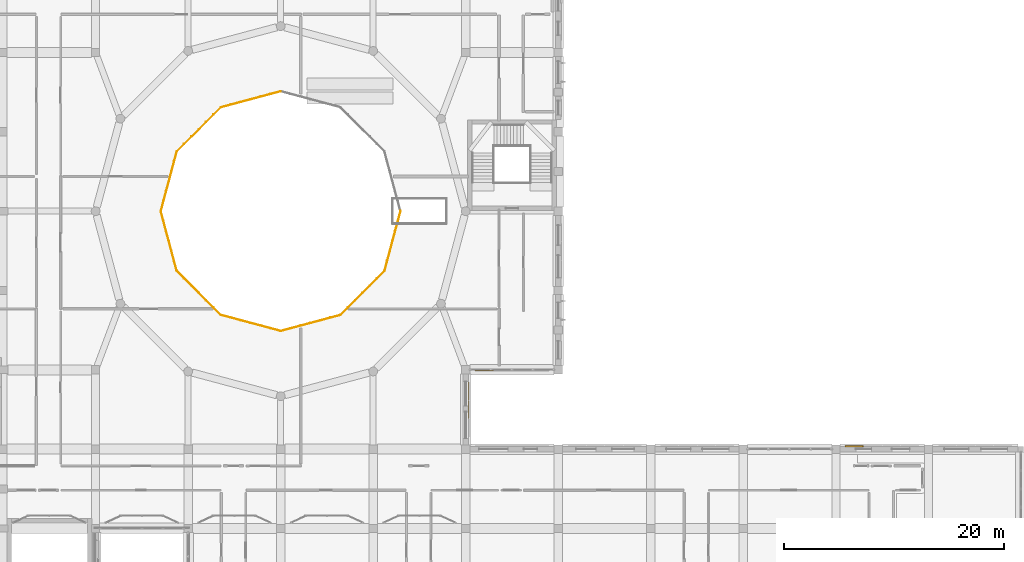
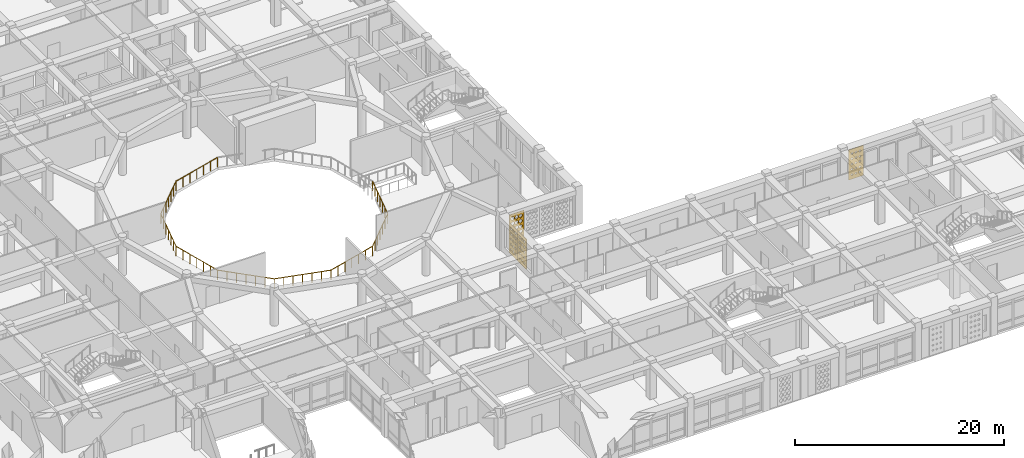
# One storey, part 100 of 121: 9 railings, 4 coverings.
"""IFC4 building model written with IfcOpenShell, lengths in metres."""

from ifc_helpers import new_model, si_unit, derived_unit, direction, frame, origin, origin_2d, place, context, subcontext, project, spatial, polyline, circle, outline, extrude, material, layer, layer_set, type_object, element, save


model = new_model("IFC4")

# Units and contexts
model_context = context("Model", 3, precision=1e-05, world=origin(), true_north=direction((0.0, 1.0)))
body_context = subcontext(model_context, "Body", "Model", "MODEL_VIEW")
ifc_project = project(units=[si_unit("LENGTHUNIT", "METRE"), si_unit("AREAUNIT", "SQUARE_METRE"), si_unit("VOLUMEUNIT", "CUBIC_METRE"), si_unit("PLANEANGLEUNIT", "RADIAN"), si_unit("MASSUNIT", "GRAM", prefix="KILO"), derived_unit("THERMALTRANSMITTANCEUNIT", [(si_unit("POWERUNIT", "WATT"), 1), (si_unit("LENGTHUNIT", "METRE"), -2), (si_unit("THERMODYNAMICTEMPERATUREUNIT", "KELVIN"), -1)])], contexts=[model_context])

# Site, building, storey
site_placement = place(None, origin())
site = spatial("IfcSite", under=ifc_project, at=site_placement, CompositionType="ELEMENT")
building_placement = place(site_placement, origin())
building = spatial("IfcBuilding", under=site, at=building_placement, Name="Veybourne Emporium", CompositionType="ELEMENT")
storey_placement = place(building_placement, frame((0.0, 0.0, 5.39990234375)))
storey = spatial("IfcBuildingStorey", under=building, at=storey_placement, Name="L01", CompositionType="ELEMENT", Elevation=5.39990234375)

# Railings
ifc_material_1 = material(Name="Patinated Architectural Bronze", Category="bronze")
railing_type = type_object("IfcRailingType", Name="Balustrade_BL-01", PredefinedType="BALUSTRADE", material=ifc_material_1)
railing_1_placement = place(storey_placement, frame((75.60009765625, 61.280029296875, 0.0)))
element("IfcRailing", 1, at=railing_1_placement, inside=storey, type_object=railing_type, Name="L01 central atrium void balustrade 04", PredefinedType="BALUSTRADE", context=body_context, shape_type="SweptSolid", body=[
    extrude(circle(Radius=0.02392578125, at=origin_2d()), frame((0.0, 0.0, 1.1259765625), z_axis=(-0.965922703593, -0.258830698881, 0.0), x_axis=(0.258830698881, -0.965922703593, 0.0)), (0.0, 0.0, 1.0), 5.632080078125),
    extrude(circle(Radius=0.02099609375, at=origin_2d()), origin(), (0.0, 0.0, 1.0), 1.101806640625),
    extrude(circle(Radius=0.02099609375, at=origin_2d()), frame((-0.90673828125, -0.242919921875, 0.0)), (0.0, 0.0, 1.0), 1.101806640625),
    extrude(circle(Radius=0.02099609375, at=origin_2d()), frame((-1.8134765625, -0.48583984375, 0.0)), (0.0, 0.0, 1.0), 1.101806640625),
    extrude(circle(Radius=0.02099609375, at=origin_2d()), frame((-2.72021484375, -0.72900390625, 0.0)), (0.0, 0.0, 1.0), 1.101806640625),
    extrude(circle(Radius=0.02099609375, at=origin_2d()), frame((-3.626708984375, -0.971923828125, 0.0)), (0.0, 0.0, 1.0), 1.101806640625),
    extrude(circle(Radius=0.02099609375, at=origin_2d()), frame((-4.533447265625, -1.21484375, 0.0)), (0.0, 0.0, 1.0), 1.101806640625),
    extrude(circle(Radius=0.02099609375, at=origin_2d()), frame((-5.440185546875, -1.457763671875, 0.0)), (0.0, 0.0, 1.0), 1.101806640625),
])
railing_2_placement = place(storey_placement, frame((70.159912109375, 59.822265625, 0.0)))
element("IfcRailing", 2, at=railing_2_placement, inside=storey, type_object=railing_type, Name="L01 central atrium void balustrade 05", PredefinedType="BALUSTRADE", context=body_context, shape_type="SweptSolid", body=[
    extrude(circle(Radius=0.02392578125, at=origin_2d()), frame((0.0, 0.0, 1.1259765625), z_axis=(-0.707106781187, -0.707106781187, 0.0), x_axis=(0.707106781187, -0.707106781187, 0.0)), (0.0, 0.0, 1.0), 5.631591796875),
    extrude(circle(Radius=0.02099609375, at=origin_2d()), origin(), (0.0, 0.0, 1.0), 1.101806640625),
    extrude(circle(Radius=0.02099609375, at=origin_2d()), frame((-0.66357421875, -0.66357421875, 0.0)), (0.0, 0.0, 1.0), 1.101806640625),
    extrude(circle(Radius=0.02099609375, at=origin_2d()), frame((-1.327392578125, -1.327392578125, 0.0)), (0.0, 0.0, 1.0), 1.101806640625),
    extrude(circle(Radius=0.02099609375, at=origin_2d()), frame((-1.9912109375, -1.9912109375, 0.0)), (0.0, 0.0, 1.0), 1.101806640625),
    extrude(circle(Radius=0.02099609375, at=origin_2d()), frame((-2.65478515625, -2.65478515625, 0.0)), (0.0, 0.0, 1.0), 1.101806640625),
    extrude(circle(Radius=0.02099609375, at=origin_2d()), frame((-3.318359375, -3.318359375, 0.0)), (0.0, 0.0, 1.0), 1.101806640625),
    extrude(circle(Radius=0.02099609375, at=origin_2d()), frame((-3.982177734375, -3.982177734375, 0.0)), (0.0, 0.0, 1.0), 1.101806640625),
])
railing_3_placement = place(storey_placement, frame((66.177734375, 55.840087890625, 0.0)))
element("IfcRailing", 3, at=railing_3_placement, inside=storey, type_object=railing_type, Name="L01 central atrium void balustrade 06", PredefinedType="BALUSTRADE", context=body_context, shape_type="SweptSolid", body=[
    extrude(circle(Radius=0.02392578125, at=origin_2d()), frame((0.0, 0.0, 1.1259765625), z_axis=(-0.258830698881, -0.965922703593, 0.0), x_axis=(0.965922703593, -0.258830698881, 0.0)), (0.0, 0.0, 1.0), 5.632080078125),
    extrude(circle(Radius=0.02099609375, at=origin_2d()), origin(), (0.0, 0.0, 1.0), 1.101806640625),
    extrude(circle(Radius=0.02099609375, at=origin_2d()), frame((-0.242919921875, -0.90673828125, 0.0)), (0.0, 0.0, 1.0), 1.101806640625),
    extrude(circle(Radius=0.02099609375, at=origin_2d()), frame((-0.48583984375, -1.8134765625, 0.0)), (0.0, 0.0, 1.0), 1.101806640625),
    extrude(circle(Radius=0.02099609375, at=origin_2d()), frame((-0.72900390625, -2.72021484375, 0.0)), (0.0, 0.0, 1.0), 1.101806640625),
    extrude(circle(Radius=0.02099609375, at=origin_2d()), frame((-0.971923828125, -3.626708984375, 0.0)), (0.0, 0.0, 1.0), 1.101806640625),
    extrude(circle(Radius=0.02099609375, at=origin_2d()), frame((-1.21484375, -4.533447265625, 0.0)), (0.0, 0.0, 1.0), 1.101806640625),
    extrude(circle(Radius=0.02099609375, at=origin_2d()), frame((-1.457763671875, -5.440185546875, 0.0)), (0.0, 0.0, 1.0), 1.101806640625),
])
railing_4_placement = place(storey_placement, frame((64.719970703125, 50.39990234375, 0.0)))
element("IfcRailing", 4, at=railing_4_placement, inside=storey, type_object=railing_type, Name="L01 central atrium void balustrade 07", PredefinedType="BALUSTRADE", context=body_context, shape_type="SweptSolid", body=[
    extrude(circle(Radius=0.02392578125, at=origin_2d()), frame((0.0, 0.0, 1.1259765625), z_axis=(0.258841536762, -0.965919799386, 0.0), x_axis=(0.965919799386, 0.258841536762, 0.0)), (0.0, 0.0, 1.0), 5.6318359375),
    extrude(circle(Radius=0.02099609375, at=origin_2d()), origin(), (0.0, 0.0, 1.0), 1.101806640625),
    extrude(circle(Radius=0.02099609375, at=origin_2d()), frame((0.242919921875, -0.90673828125, 0.0)), (0.0, 0.0, 1.0), 1.101806640625),
    extrude(circle(Radius=0.02099609375, at=origin_2d()), frame((0.48583984375, -1.813232421875, 0.0)), (0.0, 0.0, 1.0), 1.101806640625),
    extrude(circle(Radius=0.02099609375, at=origin_2d()), frame((0.72900390625, -2.719970703125, 0.0)), (0.0, 0.0, 1.0), 1.101806640625),
    extrude(circle(Radius=0.02099609375, at=origin_2d()), frame((0.971923828125, -3.626708984375, 0.0)), (0.0, 0.0, 1.0), 1.101806640625),
    extrude(circle(Radius=0.02099609375, at=origin_2d()), frame((1.21484375, -4.533203125, 0.0)), (0.0, 0.0, 1.0), 1.101806640625),
    extrude(circle(Radius=0.02099609375, at=origin_2d()), frame((1.457763671875, -5.43994140625, 0.0)), (0.0, 0.0, 1.0), 1.101806640625),
])
railing_5_placement = place(storey_placement, frame((66.177734375, 44.9599609375, 0.0)))
element("IfcRailing", 5, at=railing_5_placement, inside=storey, type_object=railing_type, Name="L01 central atrium void balustrade 08", PredefinedType="BALUSTRADE", context=body_context, shape_type="SweptSolid", body=[
    extrude(circle(Radius=0.02392578125, at=origin_2d()), frame((0.0, 0.0, 1.1259765625), z_axis=(0.707085105755, -0.707128455954, 0.0), x_axis=(0.707128455954, 0.707085105755, 0.0)), (0.0, 0.0, 1.0), 5.6318359375),
    extrude(circle(Radius=0.02099609375, at=origin_2d()), origin(), (0.0, 0.0, 1.0), 1.101806640625),
    extrude(circle(Radius=0.02099609375, at=origin_2d()), frame((0.66357421875, -0.663818359375, 0.0)), (0.0, 0.0, 1.0), 1.101806640625),
    extrude(circle(Radius=0.02099609375, at=origin_2d()), frame((1.327392578125, -1.327392578125, 0.0)), (0.0, 0.0, 1.0), 1.101806640625),
    extrude(circle(Radius=0.02099609375, at=origin_2d()), frame((1.9912109375, -1.9912109375, 0.0)), (0.0, 0.0, 1.0), 1.101806640625),
    extrude(circle(Radius=0.02099609375, at=origin_2d()), frame((2.65478515625, -2.655029296875, 0.0)), (0.0, 0.0, 1.0), 1.101806640625),
    extrude(circle(Radius=0.02099609375, at=origin_2d()), frame((3.318359375, -3.318603515625, 0.0)), (0.0, 0.0, 1.0), 1.101806640625),
    extrude(circle(Radius=0.02099609375, at=origin_2d()), frame((3.982177734375, -3.982421875, 0.0)), (0.0, 0.0, 1.0), 1.101806640625),
])
railing_6_placement = place(storey_placement, frame((70.159912109375, 40.9775390625, 0.0)))
element("IfcRailing", 6, at=railing_6_placement, inside=storey, type_object=railing_type, Name="L01 central atrium void balustrade 09", PredefinedType="BALUSTRADE", context=body_context, shape_type="SweptSolid", body=[
    extrude(circle(Radius=0.02392578125, at=origin_2d()), frame((0.0, 0.0, 1.1259765625), z_axis=(0.965933540312, -0.25879025426, 0.0), x_axis=(0.25879025426, 0.965933540312, 0.0)), (0.0, 0.0, 1.0), 5.632080078125),
    extrude(circle(Radius=0.02099609375, at=origin_2d()), origin(), (0.0, 0.0, 1.0), 1.101806640625),
    extrude(circle(Radius=0.02099609375, at=origin_2d()), frame((0.90673828125, -0.242919921875, 0.0)), (0.0, 0.0, 1.0), 1.101806640625),
    extrude(circle(Radius=0.02099609375, at=origin_2d()), frame((1.8134765625, -0.48583984375, 0.0)), (0.0, 0.0, 1.0), 1.101806640625),
    extrude(circle(Radius=0.02099609375, at=origin_2d()), frame((2.72021484375, -0.728759765625, 0.0)), (0.0, 0.0, 1.0), 1.101806640625),
    extrude(circle(Radius=0.02099609375, at=origin_2d()), frame((3.626708984375, -0.9716796875, 0.0)), (0.0, 0.0, 1.0), 1.101806640625),
    extrude(circle(Radius=0.02099609375, at=origin_2d()), frame((4.533447265625, -1.214599609375, 0.0)), (0.0, 0.0, 1.0), 1.101806640625),
    extrude(circle(Radius=0.02099609375, at=origin_2d()), frame((5.440185546875, -1.45751953125, 0.0)), (0.0, 0.0, 1.0), 1.101806640625),
])
railing_7_placement = place(storey_placement, frame((75.60009765625, 39.52001953125, 0.0)))
element("IfcRailing", 7, at=railing_7_placement, inside=storey, type_object=railing_type, Name="L01 central atrium void balustrade 10", PredefinedType="BALUSTRADE", context=body_context, shape_type="SweptSolid", body=[
    extrude(circle(Radius=0.02392578125, at=origin_2d()), frame((0.0, 0.0, 1.1259765625), z_axis=(0.96593063698, 0.258801090691, 0.0), x_axis=(-0.258801090691, 0.96593063698, 0.0)), (0.0, 0.0, 1.0), 5.6318359375),
    extrude(circle(Radius=0.02099609375, at=origin_2d()), origin(), (0.0, 0.0, 1.0), 1.101806640625),
    extrude(circle(Radius=0.02099609375, at=origin_2d()), frame((0.90673828125, 0.242919921875, 0.0)), (0.0, 0.0, 1.0), 1.101806640625),
    extrude(circle(Radius=0.02099609375, at=origin_2d()), frame((1.813232421875, 0.48583984375, 0.0)), (0.0, 0.0, 1.0), 1.101806640625),
    extrude(circle(Radius=0.02099609375, at=origin_2d()), frame((2.719970703125, 0.728759765625, 0.0)), (0.0, 0.0, 1.0), 1.101806640625),
    extrude(circle(Radius=0.02099609375, at=origin_2d()), frame((3.626708984375, 0.9716796875, 0.0)), (0.0, 0.0, 1.0), 1.101806640625),
    extrude(circle(Radius=0.02099609375, at=origin_2d()), frame((4.533203125, 1.214599609375, 0.0)), (0.0, 0.0, 1.0), 1.101806640625),
    extrude(circle(Radius=0.02099609375, at=origin_2d()), frame((5.43994140625, 1.45751953125, 0.0)), (0.0, 0.0, 1.0), 1.101806640625),
])
railing_8_placement = place(storey_placement, frame((81.0400390625, 40.9775390625, 0.0)))
element("IfcRailing", 8, at=railing_8_placement, inside=storey, type_object=railing_type, Name="L01 central atrium void balustrade 11", PredefinedType="BALUSTRADE", context=body_context, shape_type="SweptSolid", body=[
    extrude(circle(Radius=0.02392578125, at=origin_2d()), frame((0.0, 0.0, 1.1259765625), z_axis=(0.707106781187, 0.707106781187, 0.0), x_axis=(-0.707106781187, 0.707106781187, 0.0)), (0.0, 0.0, 1.0), 5.632080078125),
    extrude(circle(Radius=0.02099609375, at=origin_2d()), origin(), (0.0, 0.0, 1.0), 1.101806640625),
    extrude(circle(Radius=0.02099609375, at=origin_2d()), frame((0.663818359375, 0.663818359375, 0.0)), (0.0, 0.0, 1.0), 1.101806640625),
    extrude(circle(Radius=0.02099609375, at=origin_2d()), frame((1.327392578125, 1.327392578125, 0.0)), (0.0, 0.0, 1.0), 1.101806640625),
    extrude(circle(Radius=0.02099609375, at=origin_2d()), frame((1.9912109375, 1.9912109375, 0.0)), (0.0, 0.0, 1.0), 1.101806640625),
    extrude(circle(Radius=0.02099609375, at=origin_2d()), frame((2.655029296875, 2.655029296875, 0.0)), (0.0, 0.0, 1.0), 1.101806640625),
    extrude(circle(Radius=0.02099609375, at=origin_2d()), frame((3.318603515625, 3.318603515625, 0.0)), (0.0, 0.0, 1.0), 1.101806640625),
    extrude(circle(Radius=0.02099609375, at=origin_2d()), frame((3.982421875, 3.982421875, 0.0)), (0.0, 0.0, 1.0), 1.101806640625),
])
railing_9_placement = place(storey_placement, frame((85.0224609375, 44.9599609375, 0.0)))
element("IfcRailing", 9, at=railing_9_placement, inside=storey, type_object=railing_type, Name="L01 central atrium void balustrade 12", PredefinedType="BALUSTRADE", context=body_context, shape_type="SweptSolid", body=[
    extrude(circle(Radius=0.02392578125, at=origin_2d()), frame((0.0, 0.0, 1.1259765625), z_axis=(0.258801090691, 0.96593063698, 0.0), x_axis=(-0.96593063698, 0.258801090691, 0.0)), (0.0, 0.0, 1.0), 5.6318359375),
    extrude(circle(Radius=0.02099609375, at=origin_2d()), origin(), (0.0, 0.0, 1.0), 1.101806640625),
    extrude(circle(Radius=0.02099609375, at=origin_2d()), frame((0.242919921875, 0.90673828125, 0.0)), (0.0, 0.0, 1.0), 1.101806640625),
    extrude(circle(Radius=0.02099609375, at=origin_2d()), frame((0.48583984375, 1.813232421875, 0.0)), (0.0, 0.0, 1.0), 1.101806640625),
    extrude(circle(Radius=0.02099609375, at=origin_2d()), frame((0.728759765625, 2.719970703125, 0.0)), (0.0, 0.0, 1.0), 1.101806640625),
    extrude(circle(Radius=0.02099609375, at=origin_2d()), frame((0.9716796875, 3.626708984375, 0.0)), (0.0, 0.0, 1.0), 1.101806640625),
    extrude(circle(Radius=0.02099609375, at=origin_2d()), frame((1.214599609375, 4.533203125, 0.0)), (0.0, 0.0, 1.0), 1.101806640625),
    extrude(circle(Radius=0.02099609375, at=origin_2d()), frame((1.45751953125, 5.43994140625, 0.0)), (0.0, 0.0, 1.0), 1.101806640625),
])

# Coverings
ifc_material_2 = material(Name="Warm-White Perforated Aluminium Screen Alloy", Category="aluminium")
ifc_layer_1 = layer(ifc_material_2, 0.06005859375)
ifc_layer_set_1 = layer_set([ifc_layer_1], Name="Warm-White Perforated Aluminium Screen Alloy")
covering_type_1 = type_object("IfcCoveringType", Name="WaveScreen_SCR-02", PredefinedType="CLADDING", material=ifc_layer_set_1)
covering_1_placement = place(storey_placement, frame((94.080078125, 35.906982421875, 1.815185546875), z_axis=(0.0, 1.0, 0.0), x_axis=(-1.0, 0.0, 0.0)))
element("IfcCovering", 10, at=covering_1_placement, inside=storey, type_object=covering_type_1, Name="L01 wave-perforated aluminium screen SCR-02 (48C.4)", PredefinedType="CLADDING", context=body_context, shape_type="SweptSolid", body=[
    extrude(outline(polyline([(-0.81982421875, -1.7548828125), (0.81982421875, -1.7548828125), (0.81982421875, 1.7548828125), (-0.81982421875, 1.7548828125), (-0.81982421875, -1.7548828125)]), holes=[polyline([(-0.433349609375, -1.033447265625), (-0.26416015625, -1.157958984375), (-0.26416015625, -1.298095703125), (-0.433349609375, -1.422607421875), (-0.6025390625, -1.298095703125), (-0.6025390625, -1.157958984375), (-0.433349609375, -1.033447265625)]), polyline([(-0.433349609375, -0.405517578125), (-0.252685546875, -0.538818359375), (-0.252685546875, -0.689208984375), (-0.433349609375, -0.822509765625), (-0.614013671875, -0.689208984375), (-0.614013671875, -0.538818359375), (-0.433349609375, -0.405517578125)]), polyline([(-0.433349609375, 0.22216796875), (-0.2470703125, 0.080078125), (-0.2470703125, -0.080078125), (-0.433349609375, -0.22216796875), (-0.61962890625, -0.080078125), (-0.61962890625, 0.080078125), (-0.433349609375, 0.22216796875)]), polyline([(-0.433349609375, 0.848876953125), (-0.2470703125, 0.698486328125), (-0.2470703125, 0.529296875), (-0.433349609375, 0.379150390625), (-0.61962890625, 0.529296875), (-0.61962890625, 0.698486328125), (-0.433349609375, 0.848876953125)]), polyline([(-0.433349609375, 1.474365234375), (-0.2470703125, 1.316650390625), (-0.2470703125, 1.139404296875), (-0.433349609375, 0.981689453125), (-0.61962890625, 1.139404296875), (-0.61962890625, 1.316650390625), (-0.433349609375, 1.474365234375)]), polyline([(0.0, -1.039794921875), (0.163818359375, -1.160400390625), (0.163818359375, -1.295654296875), (0.0, -1.416015625), (-0.163818359375, -1.295654296875), (-0.163818359375, -1.160400390625), (0.0, -1.039794921875)]), polyline([(0.0, -0.41162109375), (0.175537109375, -0.541259765625), (0.175537109375, -0.686767578125), (0.0, -0.81640625), (-0.175537109375, -0.686767578125), (-0.175537109375, -0.541259765625), (0.0, -0.41162109375)]), polyline([(0.0, 0.216064453125), (0.186279296875, 0.077880859375), (0.186279296875, -0.077880859375), (0.0, -0.216064453125), (-0.186279296875, -0.077880859375), (-0.186279296875, 0.077880859375), (0.0, 0.216064453125)]), polyline([(0.0, 0.84326171875), (0.186279296875, 0.696533203125), (0.186279296875, 0.531494140625), (0.0, 0.384765625), (-0.186279296875, 0.531494140625), (-0.186279296875, 0.696533203125), (0.0, 0.84326171875)]), polyline([(0.0, 1.469482421875), (0.186279296875, 1.31494140625), (0.186279296875, 1.14111328125), (0.0, 0.986572265625), (-0.186279296875, 1.14111328125), (-0.186279296875, 1.31494140625), (0.0, 1.469482421875)]), polyline([(0.433349609375, -1.04638671875), (0.592041015625, -1.16259765625), (0.592041015625, -1.29345703125), (0.433349609375, -1.40966796875), (0.274658203125, -1.29345703125), (0.274658203125, -1.16259765625), (0.433349609375, -1.04638671875)]), polyline([(0.433349609375, -0.418212890625), (0.603515625, -0.54345703125), (0.603515625, -0.6845703125), (0.433349609375, -0.809814453125), (0.26318359375, -0.6845703125), (0.26318359375, -0.54345703125), (0.433349609375, -0.418212890625)]), polyline([(0.433349609375, 0.2099609375), (0.614990234375, 0.07568359375), (0.614990234375, -0.07568359375), (0.433349609375, -0.2099609375), (0.251708984375, -0.07568359375), (0.251708984375, 0.07568359375), (0.433349609375, 0.2099609375)]), polyline([(0.433349609375, 0.83740234375), (0.61962890625, 0.6943359375), (0.61962890625, 0.53369140625), (0.433349609375, 0.390625), (0.2470703125, 0.53369140625), (0.2470703125, 0.6943359375), (0.433349609375, 0.83740234375)]), polyline([(0.433349609375, 1.464111328125), (0.61962890625, 1.31298828125), (0.61962890625, 1.14306640625), (0.433349609375, 0.991943359375), (0.2470703125, 1.14306640625), (0.2470703125, 1.31298828125), (0.433349609375, 1.464111328125)])]), origin(), (0.0, 0.0, 1.0), 0.06005859375),
])
ifc_layer_2 = layer(ifc_material_2, 0.06005859375)
ifc_layer_set_2 = layer_set([ifc_layer_2], Name="Warm-White Perforated Aluminium Screen Alloy")
covering_type_2 = type_object("IfcCoveringType", Name="WaveScreen_SCR-03", PredefinedType="CLADDING", material=ifc_layer_set_2)
covering_2_placement = place(storey_placement, frame((92.697998046875, 34.080078125, 1.815185546875), z_axis=(-1.0, 0.0, 0.0), x_axis=(0.0, -1.0, 0.0)))
element("IfcCovering", 11, at=covering_2_placement, inside=storey, type_object=covering_type_2, Name="L01 wave-perforated aluminium screen SCR-03 (44.1)", PredefinedType="CLADDING", context=body_context, shape_type="SweptSolid", body=[
    extrude(outline(polyline([(-0.81982421875, -1.7548828125), (0.81982421875, -1.7548828125), (0.81982421875, 1.7548828125), (-0.81982421875, 1.7548828125), (-0.81982421875, -1.7548828125)]), holes=[polyline([(-0.433349609375, -1.07958984375), (-0.302001953125, -1.174560546875), (-0.302001953125, -1.281494140625), (-0.433349609375, -1.37646484375), (-0.564697265625, -1.281494140625), (-0.564697265625, -1.174560546875), (-0.433349609375, -1.07958984375)]), polyline([(-0.433349609375, -0.452880859375), (-0.29150390625, -0.555908203125), (-0.29150390625, -0.672119140625), (-0.433349609375, -0.77490234375), (-0.5751953125, -0.672119140625), (-0.5751953125, -0.555908203125), (-0.433349609375, -0.452880859375)]), polyline([(-0.433349609375, 0.174560546875), (-0.280517578125, 0.062744140625), (-0.280517578125, -0.062744140625), (-0.433349609375, -0.174560546875), (-0.586181640625, -0.062744140625), (-0.586181640625, 0.062744140625), (-0.433349609375, 0.174560546875)]), polyline([(-0.433349609375, 0.802490234375), (-0.26904296875, 0.681884765625), (-0.26904296875, 0.546142578125), (-0.433349609375, 0.425537109375), (-0.59765625, 0.546142578125), (-0.59765625, 0.681884765625), (-0.433349609375, 0.802490234375)]), polyline([(-0.433349609375, 1.4306640625), (-0.257568359375, 1.301025390625), (-0.257568359375, 1.155029296875), (-0.433349609375, 1.025390625), (-0.609130859375, 1.155029296875), (-0.609130859375, 1.301025390625), (-0.433349609375, 1.4306640625)]), polyline([(0.0, -1.0849609375), (0.127197265625, -1.176513671875), (0.127197265625, -1.279541015625), (0.0, -1.37109375), (-0.127197265625, -1.279541015625), (-0.127197265625, -1.176513671875), (0.0, -1.0849609375)]), polyline([(0.0, -0.458740234375), (0.136962890625, -0.55810546875), (0.136962890625, -0.669921875), (0.0, -0.769287109375), (-0.136962890625, -0.669921875), (-0.136962890625, -0.55810546875), (0.0, -0.458740234375)]), polyline([(0.0, 0.168212890625), (0.147705078125, 0.060546875), (0.147705078125, -0.060546875), (0.0, -0.168212890625), (-0.147705078125, -0.060546875), (-0.147705078125, 0.060546875), (0.0, 0.168212890625)]), polyline([(0.0, 0.796142578125), (0.158935546875, 0.6796875), (0.158935546875, 0.54833984375), (0.0, 0.431884765625), (-0.158935546875, 0.54833984375), (-0.158935546875, 0.6796875), (0.0, 0.796142578125)]), polyline([(0.0, 1.42431640625), (0.170654296875, 1.298583984375), (0.170654296875, 1.1572265625), (0.0, 1.03173828125), (-0.170654296875, 1.1572265625), (-0.170654296875, 1.298583984375), (0.0, 1.42431640625)]), polyline([(0.433349609375, -1.08984375), (0.556396484375, -1.17822265625), (0.556396484375, -1.277587890625), (0.433349609375, -1.3662109375), (0.310302734375, -1.277587890625), (0.310302734375, -1.17822265625), (0.433349609375, -1.08984375)]), polyline([(0.433349609375, -0.464599609375), (0.565673828125, -0.560302734375), (0.565673828125, -0.667724609375), (0.433349609375, -0.763427734375), (0.301025390625, -0.667724609375), (0.301025390625, -0.560302734375), (0.433349609375, -0.464599609375)]), polyline([(0.433349609375, 0.162109375), (0.576171875, 0.058349609375), (0.576171875, -0.058349609375), (0.433349609375, -0.162109375), (0.29052734375, -0.058349609375), (0.29052734375, 0.058349609375), (0.433349609375, 0.162109375)]), polyline([(0.433349609375, 0.789794921875), (0.587158203125, 0.67724609375), (0.587158203125, 0.55078125), (0.433349609375, 0.438232421875), (0.279541015625, 0.55078125), (0.279541015625, 0.67724609375), (0.433349609375, 0.789794921875)]), polyline([(0.433349609375, 1.41796875), (0.5986328125, 1.29638671875), (0.5986328125, 1.15966796875), (0.433349609375, 1.0380859375), (0.26806640625, 1.15966796875), (0.26806640625, 1.29638671875), (0.433349609375, 1.41796875)])]), origin(), (0.0, 0.0, 1.0), 0.06005859375),
])
covering_3_placement = place(storey_placement, frame((127.679931640625, 29.09814453125, 1.815185546875), z_axis=(0.0, -1.0, 0.0), x_axis=(1.0, 0.0, 0.0)))
element("IfcCovering", 12, at=covering_3_placement, inside=storey, type_object=covering_type_2, Name="L01 wave-perforated aluminium screen SCR-03 (68.1)", PredefinedType="CLADDING", context=body_context, shape_type="SweptSolid", body=[
    extrude(outline(polyline([(-0.81982421875, -1.7548828125), (0.81982421875, -1.7548828125), (0.81982421875, 1.7548828125), (-0.81982421875, 1.7548828125), (-0.81982421875, -1.7548828125)]), holes=[polyline([(-0.433349609375, -1.117919921875), (-0.333251953125, -1.1884765625), (-0.333251953125, -1.267578125), (-0.433349609375, -1.337890625), (-0.533447265625, -1.267578125), (-0.533447265625, -1.1884765625), (-0.433349609375, -1.117919921875)]), polyline([(-0.433349609375, -0.503173828125), (-0.332763671875, -0.57421875), (-0.332763671875, -0.65380859375), (-0.433349609375, -0.724853515625), (-0.533935546875, -0.65380859375), (-0.533935546875, -0.57421875), (-0.433349609375, -0.503173828125)]), polyline([(-0.433349609375, 0.114013671875), (-0.330078125, 0.041015625), (-0.330078125, -0.041015625), (-0.433349609375, -0.114013671875), (-0.53662109375, -0.041015625), (-0.53662109375, 0.041015625), (-0.433349609375, 0.114013671875)]), polyline([(-0.433349609375, 0.7333984375), (-0.32568359375, 0.656982421875), (-0.32568359375, 0.571044921875), (-0.433349609375, 0.494384765625), (-0.541015625, 0.571044921875), (-0.541015625, 0.656982421875), (-0.433349609375, 0.7333984375)]), polyline([(-0.433349609375, 1.35498046875), (-0.3193359375, 1.273681640625), (-0.3193359375, 1.18212890625), (-0.433349609375, 1.100830078125), (-0.54736328125, 1.18212890625), (-0.54736328125, 1.273681640625), (-0.433349609375, 1.35498046875)]), polyline([(0.0, -1.117919921875), (0.10009765625, -1.1884765625), (0.10009765625, -1.267578125), (0.0, -1.338134765625), (-0.10009765625, -1.267578125), (-0.10009765625, -1.1884765625), (0.0, -1.117919921875)]), polyline([(0.0, -0.502197265625), (0.1015625, -0.57373046875), (0.1015625, -0.654296875), (0.0, -0.725830078125), (-0.1015625, -0.654296875), (-0.1015625, -0.57373046875), (0.0, -0.502197265625)]), polyline([(0.0, 0.1162109375), (0.10498046875, 0.041748046875), (0.10498046875, -0.041748046875), (0.0, -0.1162109375), (-0.10498046875, -0.041748046875), (-0.10498046875, 0.041748046875), (0.0, 0.1162109375)]), polyline([(0.0, 0.73681640625), (0.1103515625, 0.658203125), (0.1103515625, 0.56982421875), (0.0, 0.4912109375), (-0.1103515625, 0.56982421875), (-0.1103515625, 0.658203125), (0.0, 0.73681640625)]), polyline([(0.0, 1.359130859375), (0.117431640625, 1.275146484375), (0.117431640625, 1.180908203125), (0.0, 1.0966796875), (-0.117431640625, 1.180908203125), (-0.117431640625, 1.275146484375), (0.0, 1.359130859375)]), polyline([(0.433349609375, -1.117431640625), (0.533935546875, -1.188232421875), (0.533935546875, -1.267822265625), (0.433349609375, -1.338623046875), (0.332763671875, -1.267822265625), (0.332763671875, -1.188232421875), (0.433349609375, -1.117431640625)]), polyline([(0.433349609375, -0.50048828125), (0.536376953125, -0.572998046875), (0.536376953125, -0.65478515625), (0.433349609375, -0.7275390625), (0.330322265625, -0.65478515625), (0.330322265625, -0.572998046875), (0.433349609375, -0.50048828125)]), polyline([(0.433349609375, 0.118896484375), (0.54052734375, 0.042724609375), (0.54052734375, -0.042724609375), (0.433349609375, -0.118896484375), (0.326171875, -0.042724609375), (0.326171875, 0.042724609375), (0.433349609375, 0.118896484375)]), polyline([(0.433349609375, 0.740234375), (0.546630859375, 0.659423828125), (0.546630859375, 0.568603515625), (0.433349609375, 0.48779296875), (0.320068359375, 0.568603515625), (0.320068359375, 0.659423828125), (0.433349609375, 0.740234375)]), polyline([(0.433349609375, 1.36376953125), (0.554443359375, 1.27685546875), (0.554443359375, 1.17919921875), (0.433349609375, 1.09228515625), (0.312255859375, 1.17919921875), (0.312255859375, 1.27685546875), (0.433349609375, 1.36376953125)])]), origin(), (0.0, 0.0, 1.0), 0.06005859375),
])
ifc_layer_3 = layer(ifc_material_2, 0.06005859375)
ifc_layer_set_3 = layer_set([ifc_layer_3], Name="Warm-White Perforated Aluminium Screen Alloy")
covering_type_3 = type_object("IfcCoveringType", Name="WaveScreen_SCR-04", PredefinedType="CLADDING", material=ifc_layer_set_3)
covering_4_placement = place(storey_placement, frame((92.697998046875, 32.39990234375, 1.815185546875), z_axis=(-1.0, 0.0, 0.0), x_axis=(0.0, -1.0, 0.0)))
element("IfcCovering", 13, at=covering_4_placement, inside=storey, type_object=covering_type_3, Name="L01 wave-perforated aluminium screen SCR-04 (44.2)", PredefinedType="CLADDING", context=body_context, shape_type="SweptSolid", body=[
    extrude(outline(polyline([(-0.81982421875, -1.7548828125), (0.81982421875, -1.7548828125), (0.81982421875, 1.7548828125), (-0.81982421875, 1.7548828125), (-0.81982421875, -1.7548828125)]), holes=[polyline([(-0.433349609375, -1.098388671875), (-0.3173828125, -1.181396484375), (-0.3173828125, -1.274658203125), (-0.433349609375, -1.357666015625), (-0.54931640625, -1.274658203125), (-0.54931640625, -1.181396484375), (-0.433349609375, -1.098388671875)]), polyline([(-0.433349609375, -0.474365234375), (-0.30908203125, -0.563720703125), (-0.30908203125, -0.664306640625), (-0.433349609375, -0.753662109375), (-0.5576171875, -0.664306640625), (-0.5576171875, -0.563720703125), (-0.433349609375, -0.474365234375)]), polyline([(-0.433349609375, 0.1513671875), (-0.299560546875, 0.054443359375), (-0.299560546875, -0.054443359375), (-0.433349609375, -0.1513671875), (-0.567138671875, -0.054443359375), (-0.567138671875, 0.054443359375), (-0.433349609375, 0.1513671875)]), polyline([(-0.433349609375, 0.7783203125), (-0.2890625, 0.673095703125), (-0.2890625, 0.554931640625), (-0.433349609375, 0.44970703125), (-0.57763671875, 0.554931640625), (-0.57763671875, 0.673095703125), (-0.433349609375, 0.7783203125)]), polyline([(-0.433349609375, 1.406005859375), (-0.27783203125, 1.2919921875), (-0.27783203125, 1.1640625), (-0.433349609375, 1.050048828125), (-0.5888671875, 1.1640625), (-0.5888671875, 1.2919921875), (-0.433349609375, 1.406005859375)]), polyline([(0.0, -1.102294921875), (0.11279296875, -1.182861328125), (0.11279296875, -1.273193359375), (0.0, -1.353759765625), (-0.11279296875, -1.273193359375), (-0.11279296875, -1.182861328125), (0.0, -1.102294921875)]), polyline([(0.0, -0.47900390625), (0.120361328125, -0.5654296875), (0.120361328125, -0.66259765625), (0.0, -0.748779296875), (-0.120361328125, -0.66259765625), (-0.120361328125, -0.5654296875), (0.0, -0.47900390625)]), polyline([(0.0, 0.14599609375), (0.12939453125, 0.052490234375), (0.12939453125, -0.052490234375), (0.0, -0.14599609375), (-0.12939453125, -0.052490234375), (-0.12939453125, 0.052490234375), (0.0, 0.14599609375)]), polyline([(0.0, 0.772216796875), (0.139404296875, 0.6708984375), (0.139404296875, 0.556884765625), (0.0, 0.455810546875), (-0.139404296875, 0.556884765625), (-0.139404296875, 0.6708984375), (0.0, 0.772216796875)]), polyline([(0.0, 1.399658203125), (0.150390625, 1.289794921875), (0.150390625, 1.166259765625), (0.0, 1.056396484375), (-0.150390625, 1.166259765625), (-0.150390625, 1.289794921875), (0.0, 1.399658203125)]), polyline([(0.433349609375, -1.10595703125), (0.543212890625, -1.18408203125), (0.543212890625, -1.27197265625), (0.433349609375, -1.35009765625), (0.323486328125, -1.27197265625), (0.323486328125, -1.18408203125), (0.433349609375, -1.10595703125)]), polyline([(0.433349609375, -0.4833984375), (0.550048828125, -0.56689453125), (0.550048828125, -0.660888671875), (0.433349609375, -0.744384765625), (0.316650390625, -0.660888671875), (0.316650390625, -0.56689453125), (0.433349609375, -0.4833984375)]), polyline([(0.433349609375, 0.140625), (0.55859375, 0.05078125), (0.55859375, -0.05078125), (0.433349609375, -0.140625), (0.30810546875, -0.05078125), (0.30810546875, 0.05078125), (0.433349609375, 0.140625)]), polyline([(0.433349609375, 0.7666015625), (0.568115234375, 0.6689453125), (0.568115234375, 0.55908203125), (0.433349609375, 0.46142578125), (0.298583984375, 0.55908203125), (0.298583984375, 0.6689453125), (0.433349609375, 0.7666015625)]), polyline([(0.433349609375, 1.393310546875), (0.57861328125, 1.28759765625), (0.57861328125, 1.16845703125), (0.433349609375, 1.0625), (0.2880859375, 1.16845703125), (0.2880859375, 1.28759765625), (0.433349609375, 1.393310546875)])]), origin(), (0.0, 0.0, 1.0), 0.06005859375),
])

save(model, "model.ifc")
